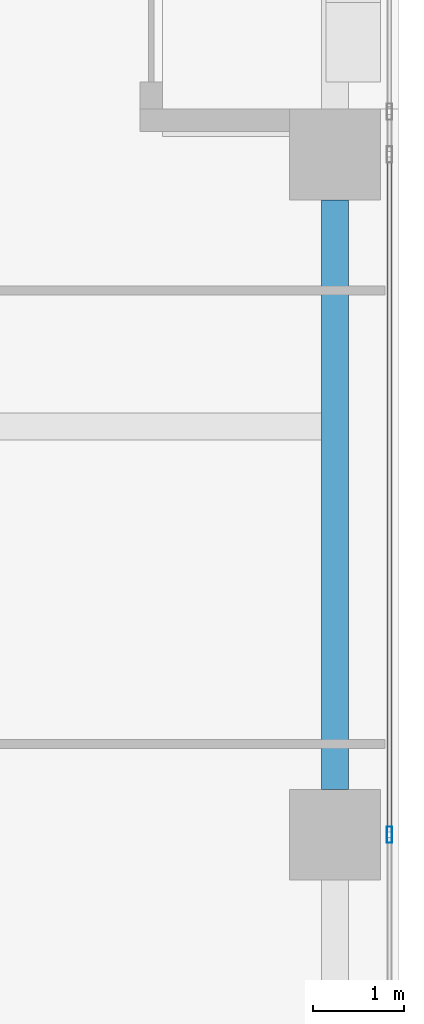
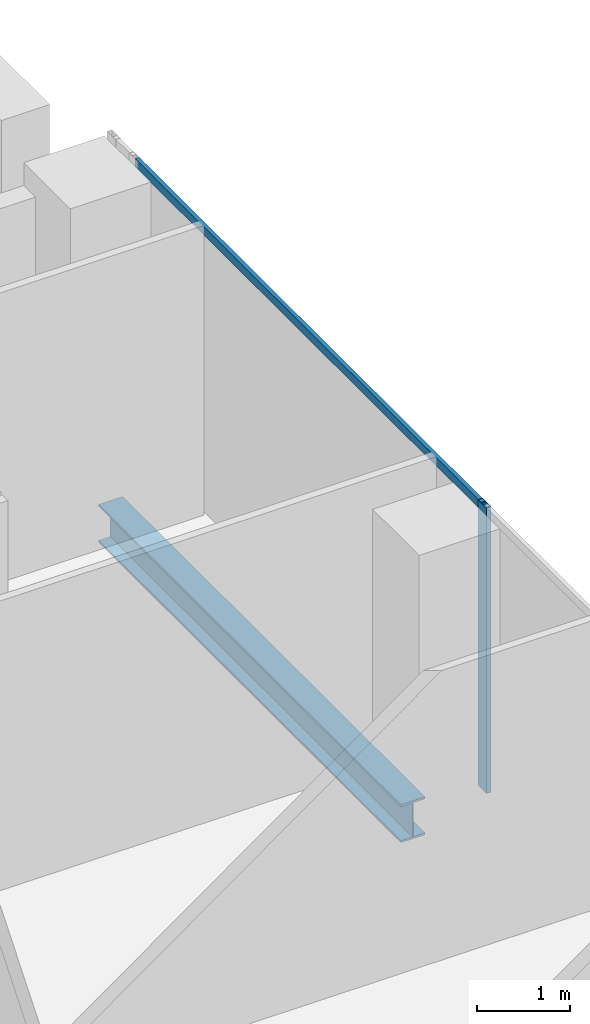
# One storey, part 17 of 40: 2 members, 1 beam, 1 element without a shape of its own.
"""IFC4 building model written with IfcOpenShell, lengths in metres."""

import ifcopenshell
import ifcopenshell.guid

model = None  # the IFC model being written
_history = None  # IfcOwnerHistory: only IFC2X3 demands one
_inside = {}  # id of a spatial element -> (the spatial element, [elements in it])
_under = {}  # id of a project, library or spatial element -> (it, [spatial elements below it])
_declared = {}  # id of a project -> (the project, [libraries it declares])
_typed = {}  # id of a type object -> (the type object, [elements of that type])
_made_of = {}  # id of a material, layer set ... -> (it, [elements and type objects made of it])


def new_model(schema):
    """Start an empty IFC model of exactly this schema.

    Asked for "IFC4X3", IfcOpenShell would pick the latest addendum, in which some entities
    have other attributes; the version numbers below select the first issue.
    IFC2X3 requires an IfcOwnerHistory on every rooted entity: one is made here for all.
    """
    global model, _history
    if schema == "IFC4X3":
        model = ifcopenshell.file(schema_version=(4, 3, 0, 0))
    else:
        model = ifcopenshell.file(schema=schema)
    _inside.clear()
    _under.clear()
    _declared.clear()
    _typed.clear()
    _made_of.clear()
    _history = None
    if model.schema == "IFC2X3":
        org = make("IfcOrganization", Name="unknown")
        user = make(
            "IfcPersonAndOrganization",
            ThePerson=make("IfcPerson", FamilyName="unknown"),
            TheOrganization=org,
        )
        app = make(
            "IfcApplication",
            ApplicationDeveloper=org,
            Version="unknown",
            ApplicationFullName="unknown",
            ApplicationIdentifier="unknown",
        )
        _history = make(
            "IfcOwnerHistory",
            OwningUser=user,
            OwningApplication=app,
            ChangeAction="ADDED",
            CreationDate=0,
        )
    return model


def make(cls, **values):
    """One entity of the class cls with the attributes given. An attribute that is None is left unset."""
    return model.create_entity(
        cls, **{name: value for name, value in values.items() if value is not None}
    )


def rooted(cls, **values):
    """An entity with a GlobalId (a new one), such as an element, a storey or a relation."""
    return make(cls, GlobalId=ifcopenshell.guid.new(), OwnerHistory=_history, **values)


def si_unit(unit_type, name, prefix=None):
    """IfcSIUnit, for example si_unit("LENGTHUNIT", "METRE", prefix="MILLI")."""
    return make("IfcSIUnit", UnitType=unit_type, Prefix=prefix, Name=name)


def assignment(units):
    """IfcUnitAssignment: the units of a project."""
    return None if units is None else make("IfcUnitAssignment", Units=units)


def point(xyz):
    """IfcCartesianPoint."""
    return None if xyz is None else make("IfcCartesianPoint", Coordinates=xyz)


def direction(xyz):
    """IfcDirection."""
    return None if xyz is None else make("IfcDirection", DirectionRatios=xyz)


def frame(location, z_axis=None, x_axis=None):
    """IfcAxis2Placement3D, a coordinate frame: its origin and axes. An axis left out is left unset."""
    return make(
        "IfcAxis2Placement3D",
        Location=point(location),
        Axis=direction(z_axis),
        RefDirection=direction(x_axis),
    )


def frame_2d(location, x_axis=None):
    """IfcAxis2Placement2D, a coordinate frame in the plane: its origin and x axis."""
    return make(
        "IfcAxis2Placement2D", Location=point(location), RefDirection=direction(x_axis)
    )


def origin():
    """The frame at (0, 0, 0) with its axes left unset."""
    return frame((0.0, 0.0, 0.0))


def origin_2d():
    """The frame at (0, 0) in the plane with its x axis left unset."""
    return frame_2d((0.0, 0.0))


def place(relative_to, where):
    """IfcLocalPlacement: puts the frame where relative to a parent placement (None: the world)."""
    return make(
        "IfcLocalPlacement", PlacementRelTo=relative_to, RelativePlacement=where
    )


def context(
    kind, dimensions, precision=None, world=None, true_north=None, identifier=None
):
    """IfcGeometricRepresentationContext, for example the 3D "Model" context."""
    return make(
        "IfcGeometricRepresentationContext",
        ContextIdentifier=identifier,
        ContextType=kind,
        CoordinateSpaceDimension=dimensions,
        Precision=precision,
        WorldCoordinateSystem=world,
        TrueNorth=true_north,
    )


def subcontext(parent, identifier, kind, view, scale=None):
    """IfcGeometricRepresentationSubContext, for example "Body" below "Model"."""
    return make(
        "IfcGeometricRepresentationSubContext",
        ContextIdentifier=identifier,
        ContextType=kind,
        ParentContext=parent,
        TargetScale=scale,
        TargetView=view,
    )


def project(units=None, contexts=None):
    """IfcProject with its units and contexts."""
    return rooted(
        "IfcProject",
        Name="project",
        RepresentationContexts=contexts,
        UnitsInContext=assignment(units),
    )


def spatial(cls, under=None, at=None, **own):
    """A site, building, storey or space (cls), placed at a placement, below another one or the project."""
    s = rooted(cls, ObjectPlacement=at, **own)
    if under is not None:
        _under.setdefault(under.id(), (under, []))[1].append(s)
    return s


def profile(cls, at=None, kind="AREA", **sizes):
    """A parametric profile (cls). Its sizes go by their IFC names, for example OverallWidth=200.0."""
    return make(cls, ProfileType=kind, Position=at, **sizes)


def hollow_rectangle(**sizes):
    """IfcRectangleHollowProfileDef."""
    return profile("IfcRectangleHollowProfileDef", **sizes)


def i_section(**sizes):
    """IfcIShapeProfileDef."""
    return profile("IfcIShapeProfileDef", **sizes)


def extrude(swept, where, along, depth):
    """IfcExtrudedAreaSolid: the profile swept, set in the frame where, extruded along a direction by depth."""
    return make(
        "IfcExtrudedAreaSolid",
        SweptArea=swept,
        Position=where,
        ExtrudedDirection=direction(along),
        Depth=depth,
    )


def shape(context_of_items, identifier, shape_type, items):
    """IfcShapeRepresentation: the items that make up one representation, for example the "Body"."""
    return make(
        "IfcShapeRepresentation",
        ContextOfItems=context_of_items,
        RepresentationIdentifier=identifier,
        RepresentationType=shape_type,
        Items=items,
    )


def source(mapping_origin, context_of_items, identifier, shape_type, items):
    """IfcRepresentationMap: a shape defined once, which mapped items show again and again."""
    return make(
        "IfcRepresentationMap",
        MappingOrigin=mapping_origin,
        MappedRepresentation=shape(context_of_items, identifier, shape_type, items),
    )


def transform(
    local_origin,
    x_axis=None,
    y_axis=None,
    z_axis=None,
    scale=None,
    scale2=None,
    scale3=None,
    uniform=True,
):
    """IfcCartesianTransformationOperator3D, or its non-uniform kind. x_axis, y_axis, z_axis: its Axis1, 2, 3."""
    if uniform:
        return make(
            "IfcCartesianTransformationOperator3D",
            Axis1=direction(x_axis),
            Axis2=direction(y_axis),
            LocalOrigin=point(local_origin),
            Scale=scale,
            Axis3=direction(z_axis),
        )
    return make(
        "IfcCartesianTransformationOperator3DnonUniform",
        Axis1=direction(x_axis),
        Axis2=direction(y_axis),
        LocalOrigin=point(local_origin),
        Scale=scale,
        Axis3=direction(z_axis),
        Scale2=scale2,
        Scale3=scale3,
    )


def mapped(mapping_source, mapping_target):
    """IfcMappedItem: shows the shape of a source again, moved by a transform."""
    return make(
        "IfcMappedItem", MappingSource=mapping_source, MappingTarget=mapping_target
    )


def material(Name=None, Category=None):
    """IfcMaterial."""
    return make("IfcMaterial", Name=Name, Category=Category)


def material_profile(
    of_material, cross_section, Name=None, Category=None, Priority=None
):
    """IfcMaterialProfile: a cross section and its material."""
    return make(
        "IfcMaterialProfile",
        Name=Name,
        Material=of_material,
        Profile=cross_section,
        Priority=Priority,
        Category=Category,
    )


def profile_set(profiles, Name=None, composite=None):
    """IfcMaterialProfileSet."""
    return make(
        "IfcMaterialProfileSet",
        Name=Name,
        MaterialProfiles=profiles,
        CompositeProfile=composite,
    )


def made_of(thing, what):
    """Note that an element or type object is made of a material, layer set ...; save() writes the relation."""
    if what is not None:
        _made_of.setdefault(what.id(), (what, []))[1].append(thing)
    return thing


def type_object(cls, material=None, **own):
    """A type object (cls), such as IfcWallType, which elements share."""
    return made_of(rooted(cls, **own), material)


def element(
    cls,
    number,
    at=None,
    inside=None,
    cuts=None,
    type_object=None,
    material=None,
    context=None,
    identifier="Body",
    shape_type=None,
    held_by="IfcProductDefinitionShape",
    body=None,
    shapes=None,
    **own,
):
    """One element of the class cls, such as IfcWall. Its Tag is "e" and its number.

    at: its placement. inside: the storey or other place that contains it. cuts: it is an
    opening in that element (IfcRelVoidsElement). A single representation is given by context,
    identifier, shape_type and body (its items); several are given by shapes. held_by: the class
    of the entity that holds the representations. save() writes the other relations.
    """
    e = rooted(cls, Tag="e%d" % number, ObjectPlacement=at, **own)
    if body is not None:
        shapes = [shape(context, identifier, shape_type, body)]
    if shapes is not None:
        e.Representation = make(held_by, Representations=shapes)
    if inside is not None:
        _inside.setdefault(inside.id(), (inside, []))[1].append(e)
    if cuts is not None:
        rooted(
            "IfcRelVoidsElement", RelatingBuildingElement=cuts, RelatedOpeningElement=e
        )
    if type_object is not None:
        _typed.setdefault(type_object.id(), (type_object, []))[1].append(e)
    return made_of(e, material)


def aggregate(whole, parts):
    """IfcRelAggregates: a whole, such as a stair, and the parts it consists of."""
    return rooted("IfcRelAggregates", RelatingObject=whole, RelatedObjects=parts)


def save(model, path):
    """Write the relations noted so far, then the file.

    IfcRelAggregates (storeys below a building ...), IfcRelContainedInSpatialStructure (elements
    in a storey), IfcRelDefinesByType, IfcRelAssociatesMaterial and IfcRelDeclares: one each for
    every whole, place, type object, material and project.
    """
    for whole, parts in _under.values():
        aggregate(whole, parts)
    for where, things in _inside.values():
        rooted(
            "IfcRelContainedInSpatialStructure",
            RelatedElements=things,
            RelatingStructure=where,
        )
    for kind, things in _typed.values():
        rooted("IfcRelDefinesByType", RelatedObjects=things, RelatingType=kind)
    for what, things in _made_of.values():
        rooted("IfcRelAssociatesMaterial", RelatedObjects=things, RelatingMaterial=what)
    for by, libraries in _declared.values():
        rooted("IfcRelDeclares", RelatingContext=by, RelatedDefinitions=libraries)
    model.write(path)


model = new_model("IFC4")

# Units and contexts
model_context = context("Model", 3, precision=1e-05, world=origin(), true_north=direction((0.0, 1.0)))
body_context = subcontext(model_context, "Body", "Model", "MODEL_VIEW")
ifc_project = project(units=[si_unit("LENGTHUNIT", "METRE"), si_unit("AREAUNIT", "SQUARE_METRE"), si_unit("VOLUMEUNIT", "CUBIC_METRE"), si_unit("PLANEANGLEUNIT", "RADIAN"), si_unit("MASSUNIT", "GRAM", prefix="KILO")], contexts=[model_context])

# Site, building, storey
site_placement = place(None, origin())
site = spatial("IfcSite", under=ifc_project, at=site_placement, CompositionType="ELEMENT")
building_placement = place(site_placement, origin())
building = spatial("IfcBuilding", under=site, at=building_placement, Name="Khomas Fold Tower", CompositionType="ELEMENT")
storey_placement = place(building_placement, frame((0.0, 0.0, 180.699951171875)))
storey = spatial("IfcBuildingStorey", under=building, at=storey_placement, Name="L39", CompositionType="ELEMENT", Elevation=180.699951171875)

# Beam
ifc_material_1 = material(Name="Steel S355", Category="steel")
ifc_material_profile_1 = material_profile(ifc_material_1, i_section(OverallWidth=0.300048828125, OverallDepth=0.5, WebThickness=0.014404296875, FlangeThickness=0.028076171875, at=origin_2d()), Name="HE 500 B")
ifc_profile_set_1 = profile_set([ifc_material_profile_1], Name="Steel S355")
beam_type = type_object("IfcBeamType", Name="HE 500 B spandrel SB3", PredefinedType="SPANDREL", material=ifc_profile_set_1)
shared_shape_1 = source(origin(), body_context, "Body", "SweptSolid", [
    extrude(i_section(OverallWidth=0.300048828125, OverallDepth=0.5, WebThickness=0.014404296875, FlangeThickness=0.028076171875, at=origin_2d()), origin(), (0.0, 0.0, 1.0), 6.5),
])
beam_placement = place(storey_placement, frame((50.300048828125, 27.5, -0.5), z_axis=(0.0, 1.0, 0.0), x_axis=(-1.0, 0.0, 0.0)))
element("IfcBeam", 1, at=beam_placement, inside=storey, type_object=beam_type, Name="SB3", PredefinedType="SPANDREL", context=body_context, shape_type="MappedRepresentation", body=[
    mapped(shared_shape_1, transform((0.0, 0.0, 0.0))),
])

# Curtain wall, members
ifc_material_2 = material(Name="Aluminium framed double glazing", Category="aluminium")
curtain_wall_type = type_object("IfcCurtainWallType", Name="SK-Unitised clear-glass wall, office floors CW2", PredefinedType="NOTDEFINED", material=ifc_material_2)
curtain_wall_placement = place(storey_placement, origin())
curtain_wall = element("IfcCurtainWall", 2, at=curtain_wall_placement, inside=storey, type_object=curtain_wall_type, Name="CW2 run L39 08-0", PredefinedType="NOTDEFINED")
ifc_material_3 = material(Name="Aluminium", Category="aluminium")
ifc_material_profile_2 = material_profile(ifc_material_3, hollow_rectangle(XDim=0.06005859375, YDim=0.179931640625, WallThickness=0.00390625, at=origin_2d()), Name="SK-Unitised clear-glass wall, office floors mullion CW2-M")
ifc_profile_set_2 = profile_set([ifc_material_profile_2], Name="Aluminium")
member_type_1 = type_object("IfcMemberType", Name="SK-Unitised clear-glass wall, office floors mullion CW2-M", PredefinedType="MULLION", material=ifc_profile_set_2)
shared_shape_2 = source(origin(), body_context, "Body", "SweptSolid", [
    extrude(hollow_rectangle(XDim=0.06005859375, YDim=0.179931640625, WallThickness=0.00390625, at=origin_2d()), origin(), (0.0, 0.0, 1.0), 3.75),
])
member_1_placement = place(storey_placement, frame((50.89990234375, 27.0, 0.0), z_axis=(0.0, 0.0, 1.0), x_axis=(-1.0, 0.0, 0.0)))
member_1 = element("IfcMember", 3, at=member_1_placement, type_object=member_type_1, Name="CW2 mullion 5", PredefinedType="MULLION", context=body_context, shape_type="MappedRepresentation", body=[
    mapped(shared_shape_2, transform((0.0, 0.0, 0.0))),
])
ifc_material_4 = material(Name="Aluminium", Category="aluminium")
ifc_material_profile_3 = material_profile(ifc_material_4, hollow_rectangle(XDim=0.050048828125, YDim=0.110107421875, WallThickness=0.00390625, at=origin_2d()), Name="SK-Unitised clear-glass wall, office floors transom CW2-T")
ifc_profile_set_3 = profile_set([ifc_material_profile_3], Name="Aluminium")
member_type_2 = type_object("IfcMemberType", Name="SK-Unitised clear-glass wall, office floors transom CW2-T", PredefinedType="USERDEFINED", material=ifc_profile_set_3)
shared_shape_3 = source(origin(), body_context, "Body", "SweptSolid", [
    extrude(hollow_rectangle(XDim=0.050048828125, YDim=0.110107421875, WallThickness=0.00390625, at=origin_2d()), origin(), (0.0, 0.0, 1.0), 7.43994140625),
])
member_2_placement = place(storey_placement, frame((50.89990234375, 27.030029296875, 3.695068359375), z_axis=(0.0, 1.0, 0.0), x_axis=(-1.0, 0.0, 0.0)))
member_2 = element("IfcMember", 4, at=member_2_placement, type_object=member_type_2, Name="CW2 transom 5", ObjectType="TRANSOM", PredefinedType="USERDEFINED", context=body_context, shape_type="MappedRepresentation", body=[
    mapped(shared_shape_3, transform((0.0, 0.0, 0.0))),
])
aggregate(curtain_wall, [member_1, member_2])

save(model, "model.ifc")
